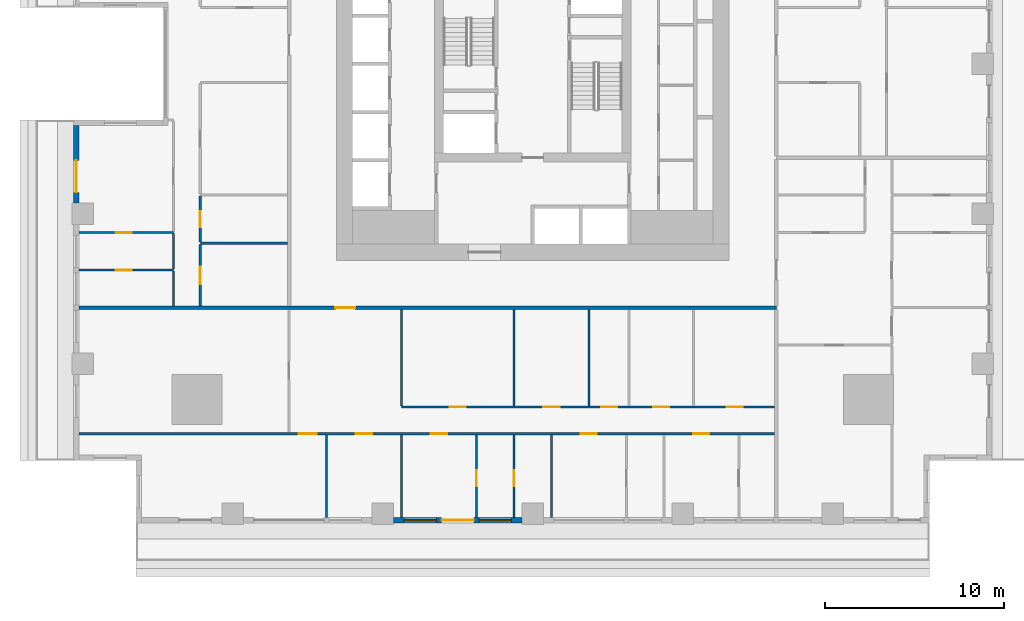
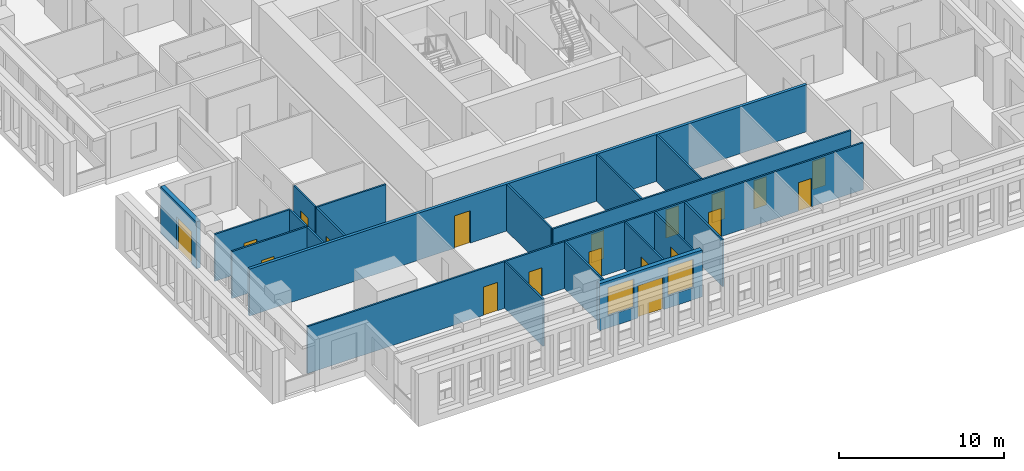
# One storey, part 2 of 15: 20 walls, 19 doors, 2 windows, 21 openings.
"""IFC4 building model written with IfcOpenShell, lengths in metres."""

from ifc_helpers import new_model, si_unit, direction, frame, frame_2d, origin, place, context, subcontext, project, spatial, rectangle, extrude, material, layer, layer_set, type_object, element, fill, save


model = new_model("IFC4")

# Units and contexts
model_context = context("Model", 3, precision=1e-05, world=origin(), true_north=direction((0.0, 1.0)))
body_context = subcontext(model_context, "Body", "Model", "MODEL_VIEW")
ifc_project = project(units=[si_unit("LENGTHUNIT", "METRE"), si_unit("AREAUNIT", "SQUARE_METRE"), si_unit("VOLUMEUNIT", "CUBIC_METRE"), si_unit("PLANEANGLEUNIT", "RADIAN"), si_unit("MASSUNIT", "GRAM", prefix="KILO")], contexts=[model_context])

# Site, building, storey
site_placement = place(None, origin())
site = spatial("IfcSite", under=ifc_project, at=site_placement, CompositionType="ELEMENT")
building_placement = place(site_placement, origin())
building = spatial("IfcBuilding", under=site, at=building_placement, Name="Khepri Terraces", CompositionType="ELEMENT")
storey_placement = place(building_placement, frame((0.0, 0.0, 83.10009765625)))
storey = spatial("IfcBuildingStorey", under=building, at=storey_placement, Name="L19", CompositionType="ELEMENT", Elevation=83.10009765625)

# Wall, opening, door
ifc_material_1 = material(Name="Fire-rated gypsum plasterboard partition, mineral wool")
ifc_layer_1 = layer(ifc_material_1, 0.199951171875, Name="Fire-rated gypsum plasterboard partition, mineral wool")
ifc_layer_set_1 = layer_set([ifc_layer_1], Name="Fire-rated gypsum plasterboard partition, mineral wool")
wall_type_1 = type_object("IfcWallType", Name="WL-CORR-200", PredefinedType="PARTITIONING", material=ifc_layer_set_1)
wall_1_placement = place(storey_placement, frame((-25.419921875, -13.64990234375, 0.0), z_axis=(0.0, 0.0, 1.0), x_axis=(1.0, 0.0, 0.0)))
wall_1 = element("IfcWall", 1, at=wall_1_placement, inside=storey, type_object=wall_type_1, Name="Partition P-022 L19", PredefinedType="PARTITIONING", context=body_context, shape_type="SweptSolid", body=[
    extrude(rectangle(XDim=39.06982421875, YDim=0.199951171875, at=frame_2d((19.534912109375, 0.0))), origin(), (0.0, 0.0, 1.0), 3.47998046875),
])
opening_1_placement = place(wall_1_placement, frame((14.3701171875, 0.0, 0.0)))
opening_1 = element("IfcOpeningElement", 2, at=opening_1_placement, cuts=wall_1, Name="Opening D1", PredefinedType="OPENING", context=body_context, shape_type="SweptSolid", body=[
    extrude(rectangle(XDim=1.10009765625, YDim=2.39990234375, at=frame_2d((0.550048828125, 1.199951171875))), frame((0.0, 0.10986328125, 0.0), z_axis=(0.0, -1.0, 0.0), x_axis=(1.0, 0.0, 0.0)), (0.0, 0.0, 1.0), 0.219970703125),
])
ifc_material_2 = material(Name="Solid-core timber door leaf, flat entrance door", Category="wood")
door_type_1 = type_object("IfcDoorType", Name="DR-ENT-1100", OperationType="NOTDEFINED", PredefinedType="DOOR", material=ifc_material_2)
door_1_placement = place(opening_1_placement, frame((1.10009765625, 0.0, 0.0), z_axis=(0.0, 0.0, 1.0), x_axis=(-1.0, 0.0, 0.0)))
door_1 = element("IfcDoor", 3, at=door_1_placement, inside=storey, type_object=door_type_1, Name="Flat A1 entrance door", OperationType="SINGLE_SWING_RIGHT", OverallHeight=2.39990234375, OverallWidth=1.10009765625, PredefinedType="DOOR", context=body_context, shape_type="SweptSolid", body=[
    extrude(rectangle(XDim=1.10009765625, YDim=2.39990234375, at=frame_2d((0.550048828125, 1.199951171875))), frame((0.0, 0.02490234375, 0.0), z_axis=(0.0, -1.0, 0.0), x_axis=(1.0, 0.0, 0.0)), (0.0, 0.0, 1.0), 0.050048828125),
])
fill(opening_1, door_1)

ifc_material_3 = material(Name="Precast concrete C50/60 warm stone", Category="masonry")
ifc_layer_2 = layer(ifc_material_3, 0.300048828125, Name="Precast concrete C50/60 warm stone", Category="masonry")
ifc_layer_set_2 = layer_set([ifc_layer_2], Name="Precast concrete C50/60 warm stone")
wall_type_2 = type_object("IfcWallType", Name="WL-EXT-PRECAST-300", PredefinedType="STANDARD", material=ifc_layer_set_2)
wall_2_placement = place(storey_placement, frame((-25.570068359375, -3.449951171875, 0.0), z_axis=(0.0, 0.0, 1.0), x_axis=(0.0, -1.0, 0.0)))
wall_2 = element("IfcWall", 4, at=wall_2_placement, inside=storey, type_object=wall_type_2, Name="External wall L19 W", PredefinedType="STANDARD", context=body_context, shape_type="SweptSolid", body=[
    extrude(rectangle(XDim=4.35009765625, YDim=0.300048828125, at=frame_2d((2.175048828125, 0.0))), origin(), (0.0, 0.0, 1.0), 3.47998046875),
])
opening_2_placement = place(wall_2_placement, frame((1.949951171875, 0.0, 0.0)))
opening_2 = element("IfcOpeningElement", 5, at=opening_2_placement, cuts=wall_2, Name="Opening ED-L19-17", PredefinedType="OPENING", context=body_context, shape_type="SweptSolid", body=[
    extrude(rectangle(XDim=1.800048828125, YDim=2.39990234375, at=frame_2d((0.89990234375, 1.199951171875))), frame((0.0, 0.16015625, 0.0), z_axis=(0.0, -1.0, 0.0), x_axis=(1.0, 0.0, 0.0)), (0.0, 0.0, 1.0), 0.320068359375),
])
ifc_material_4 = material(Name="Anodised aluminium bronze glazed door", Category="aluminium")
door_type_2 = type_object("IfcDoorType", Name="DR-BAL-SLIDE-1800x2400", OperationType="NOTDEFINED", PredefinedType="DOOR", material=ifc_material_4)
door_2_placement = place(opening_2_placement, origin())
door_2 = element("IfcDoor", 6, at=door_2_placement, inside=storey, type_object=door_type_2, Name="Balcony door L19 W", OperationType="SLIDING_TO_RIGHT", OverallHeight=2.39990234375, OverallWidth=1.800048828125, PredefinedType="DOOR", context=body_context, shape_type="SweptSolid", body=[
    extrude(rectangle(XDim=1.800048828125, YDim=2.39990234375, at=frame_2d((0.89990234375, 1.199951171875))), frame((0.0, 0.02490234375, 0.0), z_axis=(0.0, -1.0, 0.0), x_axis=(1.0, 0.0, 0.0)), (0.0, 0.0, 1.0), 0.050048828125),
])
fill(opening_2, door_2)

# Wall, openings, door, windows
wall_3_placement = place(storey_placement, frame((-7.800048828125, -25.570068359375, 0.0), z_axis=(0.0, 0.0, 1.0), x_axis=(1.0, 0.0, 0.0)))
wall_3 = element("IfcWall", 7, at=wall_3_placement, inside=storey, type_object=wall_type_2, Name="External wall L19 S", PredefinedType="STANDARD", context=body_context, shape_type="SweptSolid", body=[
    extrude(rectangle(XDim=7.199951171875, YDim=0.300048828125, at=frame_2d((3.60009765625, 0.0))), origin(), (0.0, 0.0, 1.0), 3.47998046875),
])
opening_3_placement = place(wall_3_placement, frame((0.60009765625, 0.0, 0.89990234375)))
opening_3 = element("IfcOpeningElement", 8, at=opening_3_placement, cuts=wall_3, Name="Opening W1", PredefinedType="OPENING", context=body_context, shape_type="SweptSolid", body=[
    extrude(rectangle(XDim=1.800048828125, YDim=2.10009765625, at=frame_2d((0.89990234375, 1.050048828125))), frame((0.0, 0.16015625, 0.0), z_axis=(0.0, -1.0, 0.0), x_axis=(1.0, 0.0, 0.0)), (0.0, 0.0, 1.0), 0.320068359375),
])
opening_4_placement = place(wall_3_placement, frame((2.699951171875, 0.0, 0.0)))
opening_4 = element("IfcOpeningElement", 9, at=opening_4_placement, cuts=wall_3, Name="Opening ED-L19-20", PredefinedType="OPENING", context=body_context, shape_type="SweptSolid", body=[
    extrude(rectangle(XDim=1.800048828125, YDim=2.39990234375, at=frame_2d((0.89990234375, 1.199951171875))), frame((0.0, 0.16015625, 0.0), z_axis=(0.0, -1.0, 0.0), x_axis=(1.0, 0.0, 0.0)), (0.0, 0.0, 1.0), 0.320068359375),
])
opening_5_placement = place(wall_3_placement, frame((4.800048828125, 0.0, 0.89990234375)))
opening_5 = element("IfcOpeningElement", 10, at=opening_5_placement, cuts=wall_3, Name="Opening W1", PredefinedType="OPENING", context=body_context, shape_type="SweptSolid", body=[
    extrude(rectangle(XDim=1.800048828125, YDim=2.10009765625, at=frame_2d((0.89990234375, 1.050048828125))), frame((0.0, 0.16015625, 0.0), z_axis=(0.0, -1.0, 0.0), x_axis=(1.0, 0.0, 0.0)), (0.0, 0.0, 1.0), 0.320068359375),
])
door_3_placement = place(opening_4_placement, origin())
door_3 = element("IfcDoor", 11, at=door_3_placement, inside=storey, type_object=door_type_2, Name="Balcony door L19 S", OperationType="SLIDING_TO_LEFT", OverallHeight=2.39990234375, OverallWidth=1.800048828125, PredefinedType="DOOR", context=body_context, shape_type="SweptSolid", body=[
    extrude(rectangle(XDim=1.800048828125, YDim=2.39990234375, at=frame_2d((0.89990234375, 1.199951171875))), frame((0.0, 0.02490234375, 0.0), z_axis=(0.0, -1.0, 0.0), x_axis=(1.0, 0.0, 0.0)), (0.0, 0.0, 1.0), 0.050048828125),
])
fill(opening_4, door_3)
ifc_material_5 = material(Name="Clear glass", Category="glass")
window_type = type_object("IfcWindowType", Name="WIN-RES-1800x2100", PartitioningType="SINGLE_PANEL", PredefinedType="WINDOW", material=ifc_material_5)
window_1_placement = place(opening_3_placement, origin())
window_1 = element("IfcWindow", 12, at=window_1_placement, inside=storey, type_object=window_type, Name="Window L19 S", OverallHeight=2.10009765625, OverallWidth=1.800048828125, PartitioningType="SINGLE_PANEL", PredefinedType="WINDOW", context=body_context, shape_type="SweptSolid", body=[
    extrude(rectangle(XDim=1.800048828125, YDim=2.10009765625, at=frame_2d((0.89990234375, 1.050048828125))), frame((0.0, 0.030029296875, 0.0), z_axis=(0.0, -1.0, 0.0), x_axis=(1.0, 0.0, 0.0)), (0.0, 0.0, 1.0), 0.06005859375),
])
fill(opening_3, window_1)
window_2_placement = place(opening_5_placement, origin())
window_2 = element("IfcWindow", 13, at=window_2_placement, inside=storey, type_object=window_type, Name="Window L19 S", OverallHeight=2.10009765625, OverallWidth=1.800048828125, PartitioningType="SINGLE_PANEL", PredefinedType="WINDOW", context=body_context, shape_type="SweptSolid", body=[
    extrude(rectangle(XDim=1.800048828125, YDim=2.10009765625, at=frame_2d((0.89990234375, 1.050048828125))), frame((0.0, 0.030029296875, 0.0), z_axis=(0.0, -1.0, 0.0), x_axis=(1.0, 0.0, 0.0)), (0.0, 0.0, 1.0), 0.06005859375),
])
fill(opening_5, window_2)

# Walls
ifc_material_6 = material(Name="Gypsum plasterboard partition")
ifc_layer_3 = layer(ifc_material_6, 0.1201171875, Name="Gypsum plasterboard partition")
ifc_layer_set_3 = layer_set([ifc_layer_3], Name="Gypsum plasterboard partition")
wall_type_3 = type_object("IfcWallType", Name="WL-PART-120", PredefinedType="PARTITIONING", material=ifc_layer_set_3)
for number, where, z_axis, x_axis, name in (
    (14, (-11.550048828125, -25.419921875, 0.0), (0.0, 0.0, 1.0), (0.0, 1.0, 0.0), "Partition P-001 L19"),
    (15, (-7.35009765625, -25.419921875, 0.0), (0.0, 0.0, 1.0), (0.0, 1.0, 0.0), "Partition P-002 L19"),
):
    element("IfcWall", number, at=place(storey_placement, frame(where, z_axis=z_axis, x_axis=x_axis)), inside=storey, type_object=wall_type_3, Name=name, PredefinedType="PARTITIONING", context=body_context, shape_type="SweptSolid", body=[
        extrude(rectangle(XDim=4.639892578125, YDim=0.1201171875, at=frame_2d((2.31982421875, 0.0))), origin(), (0.0, 0.0, 1.0), 3.47998046875),
    ])

# Wall, opening, door
wall_4_placement = place(storey_placement, frame((-3.14990234375, -25.419921875, 0.0), z_axis=(0.0, 0.0, 1.0), x_axis=(0.0, 1.0, 0.0)))
wall_4 = element("IfcWall", 16, at=wall_4_placement, inside=storey, type_object=wall_type_3, Name="Partition P-003 L19", PredefinedType="PARTITIONING", context=body_context, shape_type="SweptSolid", body=[
    extrude(rectangle(XDim=4.639892578125, YDim=0.1201171875, at=frame_2d((2.31982421875, 0.0))), origin(), (0.0, 0.0, 1.0), 3.47998046875),
])
opening_6_placement = place(wall_4_placement, frame((1.75, 0.0, 0.0)))
opening_6 = element("IfcOpeningElement", 17, at=opening_6_placement, cuts=wall_4, Name="Opening D3", PredefinedType="OPENING", context=body_context, shape_type="SweptSolid", body=[
    extrude(rectangle(XDim=0.89990234375, YDim=2.10009765625, at=frame_2d((0.449951171875, 1.050048828125))), frame((0.0, 0.070068359375, 0.0), z_axis=(0.0, -1.0, 0.0), x_axis=(1.0, 0.0, 0.0)), (0.0, 0.0, 1.0), 0.14013671875),
])
ifc_material_7 = material(Name="Timber door leaf", Category="wood")
door_type_3 = type_object("IfcDoorType", Name="DR-INT-900", OperationType="NOTDEFINED", PredefinedType="DOOR", material=ifc_material_7)
door_4_placement = place(opening_6_placement, frame((0.89990234375, 0.0, 0.0), z_axis=(0.0, 0.0, 1.0), x_axis=(-1.0, 0.0, 0.0)))
door_4 = element("IfcDoor", 18, at=door_4_placement, inside=storey, type_object=door_type_3, Name="Door Dressing Room", OperationType="SINGLE_SWING_RIGHT", OverallHeight=2.10009765625, OverallWidth=0.89990234375, PredefinedType="DOOR", context=body_context, shape_type="SweptSolid", body=[
    extrude(rectangle(XDim=0.89990234375, YDim=2.10009765625, at=frame_2d((0.449951171875, 1.050048828125))), frame((0.0, 0.02490234375, 0.0), z_axis=(0.0, -1.0, 0.0), x_axis=(1.0, 0.0, 0.0)), (0.0, 0.0, 1.0), 0.050048828125),
])
fill(opening_6, door_4)

wall_5_placement = place(storey_placement, frame((-1.050048828125, -25.419921875, 0.0), z_axis=(0.0, 0.0, 1.0), x_axis=(0.0, 1.0, 0.0)))
wall_5 = element("IfcWall", 19, at=wall_5_placement, inside=storey, type_object=wall_type_3, Name="Partition P-004 L19", PredefinedType="PARTITIONING", context=body_context, shape_type="SweptSolid", body=[
    extrude(rectangle(XDim=4.639892578125, YDim=0.1201171875, at=frame_2d((2.31982421875, 0.0))), origin(), (0.0, 0.0, 1.0), 3.47998046875),
])
opening_7_placement = place(wall_5_placement, frame((1.75, 0.0, 0.0)))
opening_7 = element("IfcOpeningElement", 20, at=opening_7_placement, cuts=wall_5, Name="Opening D4", PredefinedType="OPENING", context=body_context, shape_type="SweptSolid", body=[
    extrude(rectangle(XDim=0.89990234375, YDim=2.10009765625, at=frame_2d((0.449951171875, 1.050048828125))), frame((0.0, 0.070068359375, 0.0), z_axis=(0.0, -1.0, 0.0), x_axis=(1.0, 0.0, 0.0)), (0.0, 0.0, 1.0), 0.14013671875),
])
ifc_material_8 = material(Name="Timber door leaf, moisture resistant", Category="wood")
door_type_4 = type_object("IfcDoorType", Name="DR-WET-900", OperationType="NOTDEFINED", PredefinedType="DOOR", material=ifc_material_8)
door_5_placement = place(opening_7_placement, frame((0.89990234375, 0.0, 0.0), z_axis=(0.0, 0.0, 1.0), x_axis=(-1.0, 0.0, 0.0)))
door_5 = element("IfcDoor", 21, at=door_5_placement, inside=storey, type_object=door_type_4, Name="Door Bathroom", OperationType="SINGLE_SWING_RIGHT", OverallHeight=2.10009765625, OverallWidth=0.89990234375, PredefinedType="DOOR", context=body_context, shape_type="SweptSolid", body=[
    extrude(rectangle(XDim=0.89990234375, YDim=2.10009765625, at=frame_2d((0.449951171875, 1.050048828125))), frame((0.0, 0.02490234375, 0.0), z_axis=(0.0, -1.0, 0.0), x_axis=(1.0, 0.0, 0.0)), (0.0, 0.0, 1.0), 0.050048828125),
])
fill(opening_7, door_5)

# Wall
wall_6_placement = place(storey_placement, frame((1.050048828125, -25.419921875, 0.0), z_axis=(0.0, 0.0, 1.0), x_axis=(0.0, 1.0, 0.0)))
element("IfcWall", 22, at=wall_6_placement, inside=storey, type_object=wall_type_3, Name="Partition P-005 L19", PredefinedType="PARTITIONING", context=body_context, shape_type="SweptSolid", body=[
    extrude(rectangle(XDim=4.639892578125, YDim=0.1201171875, at=frame_2d((2.31982421875, 0.0))), origin(), (0.0, 0.0, 1.0), 3.47998046875),
])

# Wall, openings, doors
wall_7_placement = place(storey_placement, frame((-25.419921875, -20.719970703125, 0.0), z_axis=(0.0, 0.0, 1.0), x_axis=(1.0, 0.0, 0.0)))
wall_7 = element("IfcWall", 23, at=wall_7_placement, inside=storey, type_object=wall_type_3, Name="Partition P-011 L19", PredefinedType="PARTITIONING", context=body_context, shape_type="SweptSolid", body=[
    extrude(rectangle(XDim=38.969970703125, YDim=0.1201171875, at=frame_2d((19.48486328125, 0.0))), origin(), (0.0, 0.0, 1.0), 3.47998046875),
])
opening_8_placement = place(wall_7_placement, frame((12.320068359375, 0.0, 0.0)))
opening_8 = element("IfcOpeningElement", 24, at=opening_8_placement, cuts=wall_7, Name="Opening D2", PredefinedType="OPENING", context=body_context, shape_type="SweptSolid", body=[
    extrude(rectangle(XDim=1.0, YDim=2.10009765625, at=frame_2d((0.5, 1.050048828125))), frame((0.0, 0.070068359375, 0.0), z_axis=(0.0, -1.0, 0.0), x_axis=(1.0, 0.0, 0.0)), (0.0, 0.0, 1.0), 0.14013671875),
])
opening_9_placement = place(wall_7_placement, frame((15.52001953125, 0.0, 0.0)))
opening_9 = element("IfcOpeningElement", 25, at=opening_9_placement, cuts=wall_7, Name="Opening D3", PredefinedType="OPENING", context=body_context, shape_type="SweptSolid", body=[
    extrude(rectangle(XDim=0.89990234375, YDim=2.10009765625, at=frame_2d((0.449951171875, 1.050048828125))), frame((0.0, 0.070068359375, 0.0), z_axis=(0.0, -1.0, 0.0), x_axis=(1.0, 0.0, 0.0)), (0.0, 0.0, 1.0), 0.14013671875),
])
opening_10_placement = place(wall_7_placement, frame((19.719970703125, 0.0, 0.0)))
opening_10 = element("IfcOpeningElement", 26, at=opening_10_placement, cuts=wall_7, Name="Opening D3", PredefinedType="OPENING", context=body_context, shape_type="SweptSolid", body=[
    extrude(rectangle(XDim=0.89990234375, YDim=2.10009765625, at=frame_2d((0.449951171875, 1.050048828125))), frame((0.0, 0.070068359375, 0.0), z_axis=(0.0, -1.0, 0.0), x_axis=(1.0, 0.0, 0.0)), (0.0, 0.0, 1.0), 0.14013671875),
])
opening_11_placement = place(wall_7_placement, frame((28.1201171875, 0.0, 0.0)))
opening_11 = element("IfcOpeningElement", 27, at=opening_11_placement, cuts=wall_7, Name="Opening D3", PredefinedType="OPENING", context=body_context, shape_type="SweptSolid", body=[
    extrude(rectangle(XDim=0.89990234375, YDim=2.10009765625, at=frame_2d((0.449951171875, 1.050048828125))), frame((0.0, 0.070068359375, 0.0), z_axis=(0.0, -1.0, 0.0), x_axis=(1.0, 0.0, 0.0)), (0.0, 0.0, 1.0), 0.14013671875),
])
opening_12_placement = place(wall_7_placement, frame((34.419921875, 0.0, 0.0)))
opening_12 = element("IfcOpeningElement", 28, at=opening_12_placement, cuts=wall_7, Name="Opening D3", PredefinedType="OPENING", context=body_context, shape_type="SweptSolid", body=[
    extrude(rectangle(XDim=0.89990234375, YDim=2.10009765625, at=frame_2d((0.449951171875, 1.050048828125))), frame((0.0, 0.070068359375, 0.0), z_axis=(0.0, -1.0, 0.0), x_axis=(1.0, 0.0, 0.0)), (0.0, 0.0, 1.0), 0.14013671875),
])
ifc_material_9 = material(Name="Timber door leaf, living room door", Category="wood")
door_type_5 = type_object("IfcDoorType", Name="DR-INT-1000", OperationType="NOTDEFINED", PredefinedType="DOOR", material=ifc_material_9)
door_6_placement = place(opening_8_placement, frame((1.0, 0.0, 0.0), z_axis=(0.0, 0.0, 1.0), x_axis=(-1.0, 0.0, 0.0)))
door_6 = element("IfcDoor", 29, at=door_6_placement, inside=storey, type_object=door_type_5, Name="Door Living Room", OperationType="SINGLE_SWING_RIGHT", OverallHeight=2.10009765625, OverallWidth=1.0, PredefinedType="DOOR", context=body_context, shape_type="SweptSolid", body=[
    extrude(rectangle(XDim=1.0, YDim=2.10009765625, at=frame_2d((0.5, 1.050048828125))), frame((0.0, 0.02490234375, 0.0), z_axis=(0.0, -1.0, 0.0), x_axis=(1.0, 0.0, 0.0)), (0.0, 0.0, 1.0), 0.050048828125),
])
fill(opening_8, door_6)
door_7_placement = place(opening_9_placement, frame((0.89990234375, 0.0, 0.0), z_axis=(0.0, 0.0, 1.0), x_axis=(-1.0, 0.0, 0.0)))
door_7 = element("IfcDoor", 30, at=door_7_placement, inside=storey, type_object=door_type_3, Name="Door Study", OperationType="SINGLE_SWING_RIGHT", OverallHeight=2.10009765625, OverallWidth=0.89990234375, PredefinedType="DOOR", context=body_context, shape_type="SweptSolid", body=[
    extrude(rectangle(XDim=0.89990234375, YDim=2.10009765625, at=frame_2d((0.449951171875, 1.050048828125))), frame((0.0, 0.02490234375, 0.0), z_axis=(0.0, -1.0, 0.0), x_axis=(1.0, 0.0, 0.0)), (0.0, 0.0, 1.0), 0.050048828125),
])
fill(opening_9, door_7)
door_8_placement = place(opening_10_placement, frame((0.89990234375, 0.0, 0.0), z_axis=(0.0, 0.0, 1.0), x_axis=(-1.0, 0.0, 0.0)))
door_8 = element("IfcDoor", 31, at=door_8_placement, inside=storey, type_object=door_type_3, Name="Door Master Bedroom", OperationType="SINGLE_SWING_LEFT", OverallHeight=2.10009765625, OverallWidth=0.89990234375, PredefinedType="DOOR", context=body_context, shape_type="SweptSolid", body=[
    extrude(rectangle(XDim=0.89990234375, YDim=2.10009765625, at=frame_2d((0.449951171875, 1.050048828125))), frame((0.0, 0.02490234375, 0.0), z_axis=(0.0, -1.0, 0.0), x_axis=(1.0, 0.0, 0.0)), (0.0, 0.0, 1.0), 0.050048828125),
])
fill(opening_10, door_8)
door_9_placement = place(opening_11_placement, frame((0.89990234375, 0.0, 0.0), z_axis=(0.0, 0.0, 1.0), x_axis=(-1.0, 0.0, 0.0)))
door_9 = element("IfcDoor", 32, at=door_9_placement, inside=storey, type_object=door_type_3, Name="Door Bedroom", OperationType="SINGLE_SWING_LEFT", OverallHeight=2.10009765625, OverallWidth=0.89990234375, PredefinedType="DOOR", context=body_context, shape_type="SweptSolid", body=[
    extrude(rectangle(XDim=0.89990234375, YDim=2.10009765625, at=frame_2d((0.449951171875, 1.050048828125))), frame((0.0, 0.02490234375, 0.0), z_axis=(0.0, -1.0, 0.0), x_axis=(1.0, 0.0, 0.0)), (0.0, 0.0, 1.0), 0.050048828125),
])
fill(opening_11, door_9)
door_10_placement = place(opening_12_placement, frame((0.89990234375, 0.0, 0.0), z_axis=(0.0, 0.0, 1.0), x_axis=(-1.0, 0.0, 0.0)))
door_10 = element("IfcDoor", 33, at=door_10_placement, inside=storey, type_object=door_type_3, Name="Door Bedroom", OperationType="SINGLE_SWING_LEFT", OverallHeight=2.10009765625, OverallWidth=0.89990234375, PredefinedType="DOOR", context=body_context, shape_type="SweptSolid", body=[
    extrude(rectangle(XDim=0.89990234375, YDim=2.10009765625, at=frame_2d((0.449951171875, 1.050048828125))), frame((0.0, 0.02490234375, 0.0), z_axis=(0.0, -1.0, 0.0), x_axis=(1.0, 0.0, 0.0)), (0.0, 0.0, 1.0), 0.050048828125),
])
fill(opening_12, door_10)

wall_8_placement = place(storey_placement, frame((-7.35009765625, -19.219970703125, 0.0), z_axis=(0.0, 0.0, 1.0), x_axis=(1.0, 0.0, 0.0)))
wall_8 = element("IfcWall", 34, at=wall_8_placement, inside=storey, type_object=wall_type_3, Name="Partition P-013 L19", PredefinedType="PARTITIONING", context=body_context, shape_type="SweptSolid", body=[
    extrude(rectangle(XDim=20.900146484375, YDim=0.1201171875, at=frame_2d((10.4501953125, 0.0))), origin(), (0.0, 0.0, 1.0), 3.47998046875),
])
opening_13_placement = place(wall_8_placement, frame((2.699951171875, 0.0, 0.0)))
opening_13 = element("IfcOpeningElement", 35, at=opening_13_placement, cuts=wall_8, Name="Opening D3", PredefinedType="OPENING", context=body_context, shape_type="SweptSolid", body=[
    extrude(rectangle(XDim=0.89990234375, YDim=2.10009765625, at=frame_2d((0.449951171875, 1.050048828125))), frame((0.0, 0.070068359375, 0.0), z_axis=(0.0, -1.0, 0.0), x_axis=(1.0, 0.0, 0.0)), (0.0, 0.0, 1.0), 0.14013671875),
])
opening_14_placement = place(wall_8_placement, frame((7.949951171875, 0.0, 0.0)))
opening_14 = element("IfcOpeningElement", 36, at=opening_14_placement, cuts=wall_8, Name="Opening D3", PredefinedType="OPENING", context=body_context, shape_type="SweptSolid", body=[
    extrude(rectangle(XDim=0.89990234375, YDim=2.10009765625, at=frame_2d((0.449951171875, 1.050048828125))), frame((0.0, 0.070068359375, 0.0), z_axis=(0.0, -1.0, 0.0), x_axis=(1.0, 0.0, 0.0)), (0.0, 0.0, 1.0), 0.14013671875),
])
opening_15_placement = place(wall_8_placement, frame((11.175048828125, 0.0, 0.0)))
opening_15 = element("IfcOpeningElement", 37, at=opening_15_placement, cuts=wall_8, Name="Opening D4", PredefinedType="OPENING", context=body_context, shape_type="SweptSolid", body=[
    extrude(rectangle(XDim=0.89990234375, YDim=2.10009765625, at=frame_2d((0.449951171875, 1.050048828125))), frame((0.0, 0.070068359375, 0.0), z_axis=(0.0, -1.0, 0.0), x_axis=(1.0, 0.0, 0.0)), (0.0, 0.0, 1.0), 0.14013671875),
])
opening_16_placement = place(wall_8_placement, frame((14.10009765625, 0.0, 0.0)))
opening_16 = element("IfcOpeningElement", 38, at=opening_16_placement, cuts=wall_8, Name="Opening D3", PredefinedType="OPENING", context=body_context, shape_type="SweptSolid", body=[
    extrude(rectangle(XDim=0.89990234375, YDim=2.10009765625, at=frame_2d((0.449951171875, 1.050048828125))), frame((0.0, 0.070068359375, 0.0), z_axis=(0.0, -1.0, 0.0), x_axis=(1.0, 0.0, 0.0)), (0.0, 0.0, 1.0), 0.14013671875),
])
opening_17_placement = place(wall_8_placement, frame((18.22509765625, 0.0, 0.0)))
opening_17 = element("IfcOpeningElement", 39, at=opening_17_placement, cuts=wall_8, Name="Opening D4", PredefinedType="OPENING", context=body_context, shape_type="SweptSolid", body=[
    extrude(rectangle(XDim=0.89990234375, YDim=2.10009765625, at=frame_2d((0.449951171875, 1.050048828125))), frame((0.0, 0.070068359375, 0.0), z_axis=(0.0, -1.0, 0.0), x_axis=(1.0, 0.0, 0.0)), (0.0, 0.0, 1.0), 0.14013671875),
])
door_11_placement = place(opening_13_placement, origin())
door_11 = element("IfcDoor", 40, at=door_11_placement, inside=storey, type_object=door_type_3, Name="Door Kitchen", OperationType="SINGLE_SWING_LEFT", OverallHeight=2.10009765625, OverallWidth=0.89990234375, PredefinedType="DOOR", context=body_context, shape_type="SweptSolid", body=[
    extrude(rectangle(XDim=0.89990234375, YDim=2.10009765625, at=frame_2d((0.449951171875, 1.050048828125))), frame((0.0, 0.02490234375, 0.0), z_axis=(0.0, -1.0, 0.0), x_axis=(1.0, 0.0, 0.0)), (0.0, 0.0, 1.0), 0.050048828125),
])
fill(opening_13, door_11)
door_12_placement = place(opening_14_placement, origin())
door_12 = element("IfcDoor", 41, at=door_12_placement, inside=storey, type_object=door_type_3, Name="Door Service Store", OperationType="SINGLE_SWING_LEFT", OverallHeight=2.10009765625, OverallWidth=0.89990234375, PredefinedType="DOOR", context=body_context, shape_type="SweptSolid", body=[
    extrude(rectangle(XDim=0.89990234375, YDim=2.10009765625, at=frame_2d((0.449951171875, 1.050048828125))), frame((0.0, 0.02490234375, 0.0), z_axis=(0.0, -1.0, 0.0), x_axis=(1.0, 0.0, 0.0)), (0.0, 0.0, 1.0), 0.050048828125),
])
fill(opening_14, door_12)
door_13_placement = place(opening_16_placement, origin())
door_13 = element("IfcDoor", 42, at=door_13_placement, inside=storey, type_object=door_type_3, Name="Door Utility Room", OperationType="SINGLE_SWING_RIGHT", OverallHeight=2.10009765625, OverallWidth=0.89990234375, PredefinedType="DOOR", context=body_context, shape_type="SweptSolid", body=[
    extrude(rectangle(XDim=0.89990234375, YDim=2.10009765625, at=frame_2d((0.449951171875, 1.050048828125))), frame((0.0, 0.02490234375, 0.0), z_axis=(0.0, -1.0, 0.0), x_axis=(1.0, 0.0, 0.0)), (0.0, 0.0, 1.0), 0.050048828125),
])
fill(opening_16, door_13)
door_14_placement = place(opening_15_placement, origin())
door_14 = element("IfcDoor", 43, at=door_14_placement, inside=storey, type_object=door_type_4, Name="Door Powder Room", OperationType="SINGLE_SWING_RIGHT", OverallHeight=2.10009765625, OverallWidth=0.89990234375, PredefinedType="DOOR", context=body_context, shape_type="SweptSolid", body=[
    extrude(rectangle(XDim=0.89990234375, YDim=2.10009765625, at=frame_2d((0.449951171875, 1.050048828125))), frame((0.0, 0.02490234375, 0.0), z_axis=(0.0, -1.0, 0.0), x_axis=(1.0, 0.0, 0.0)), (0.0, 0.0, 1.0), 0.050048828125),
])
fill(opening_15, door_14)
door_15_placement = place(opening_17_placement, origin())
door_15 = element("IfcDoor", 44, at=door_15_placement, inside=storey, type_object=door_type_4, Name="Door Guest Bathroom", OperationType="SINGLE_SWING_RIGHT", OverallHeight=2.10009765625, OverallWidth=0.89990234375, PredefinedType="DOOR", context=body_context, shape_type="SweptSolid", body=[
    extrude(rectangle(XDim=0.89990234375, YDim=2.10009765625, at=frame_2d((0.449951171875, 1.050048828125))), frame((0.0, 0.02490234375, 0.0), z_axis=(0.0, -1.0, 0.0), x_axis=(1.0, 0.0, 0.0)), (0.0, 0.0, 1.0), 0.050048828125),
])
fill(opening_17, door_15)

# Walls
for number, where, z_axis, x_axis, name in (
    (45, (-7.35009765625, -19.159912109375, 0.0), (0.0, 0.0, 1.0), (0.0, 1.0, 0.0), "Partition P-014 L19"),
    (46, (-1.050048828125, -19.159912109375, 0.0), (0.0, 0.0, 1.0), (0.0, 1.0, 0.0), "Partition P-015 L19"),
    (47, (3.14990234375, -19.159912109375, 0.0), (0.0, 0.0, 1.0), (0.0, 1.0, 0.0), "Partition P-016 L19"),
):
    element("IfcWall", number, at=place(storey_placement, frame(where, z_axis=z_axis, x_axis=x_axis)), inside=storey, type_object=wall_type_3, Name=name, PredefinedType="PARTITIONING", context=body_context, shape_type="SweptSolid", body=[
        extrude(rectangle(XDim=5.409912109375, YDim=0.1201171875, at=frame_2d((2.705078125, 0.0))), origin(), (0.0, 0.0, 1.0), 3.47998046875),
    ])
wall_9_placement = place(storey_placement, frame((-20.1201171875, -13.550048828125, 0.0), z_axis=(0.0, 0.0, 1.0), x_axis=(0.0, 1.0, 0.0)))
element("IfcWall", 48, at=wall_9_placement, inside=storey, type_object=wall_type_3, Name="Partition P-025 L19", PredefinedType="PARTITIONING", context=body_context, shape_type="SweptSolid", body=[
    extrude(rectangle(XDim=1.93994140625, YDim=0.1201171875, at=frame_2d((0.969970703125, 0.0))), origin(), (0.0, 0.0, 1.0), 3.47998046875),
])

# Wall, opening, door
wall_10_placement = place(storey_placement, frame((-18.6201171875, -13.550048828125, 0.0), z_axis=(0.0, 0.0, 1.0), x_axis=(0.0, 1.0, 0.0)))
wall_10 = element("IfcWall", 49, at=wall_10_placement, inside=storey, type_object=wall_type_3, Name="Partition P-026 L19", PredefinedType="PARTITIONING", context=body_context, shape_type="SweptSolid", body=[
    extrude(rectangle(XDim=3.43994140625, YDim=0.1201171875, at=frame_2d((1.719970703125, 0.0))), origin(), (0.0, 0.0, 1.0), 3.47998046875),
])
opening_18_placement = place(wall_10_placement, frame((1.199951171875, 0.0, 0.0)))
opening_18 = element("IfcOpeningElement", 50, at=opening_18_placement, cuts=wall_10, Name="Opening D2", PredefinedType="OPENING", context=body_context, shape_type="SweptSolid", body=[
    extrude(rectangle(XDim=1.0, YDim=2.10009765625, at=frame_2d((0.5, 1.050048828125))), frame((0.0, 0.070068359375, 0.0), z_axis=(0.0, -1.0, 0.0), x_axis=(1.0, 0.0, 0.0)), (0.0, 0.0, 1.0), 0.14013671875),
])
door_16_placement = place(opening_18_placement, frame((1.0, 0.0, 0.0), z_axis=(0.0, 0.0, 1.0), x_axis=(-1.0, 0.0, 0.0)))
door_16 = element("IfcDoor", 51, at=door_16_placement, inside=storey, type_object=door_type_5, Name="Door Family Room", OperationType="SINGLE_SWING_RIGHT", OverallHeight=2.10009765625, OverallWidth=1.0, PredefinedType="DOOR", context=body_context, shape_type="SweptSolid", body=[
    extrude(rectangle(XDim=1.0, YDim=2.10009765625, at=frame_2d((0.5, 1.050048828125))), frame((0.0, 0.02490234375, 0.0), z_axis=(0.0, -1.0, 0.0), x_axis=(1.0, 0.0, 0.0)), (0.0, 0.0, 1.0), 0.050048828125),
])
fill(opening_18, door_16)

wall_11_placement = place(storey_placement, frame((-25.419921875, -11.550048828125, 0.0), z_axis=(0.0, 0.0, 1.0), x_axis=(1.0, 0.0, 0.0)))
wall_11 = element("IfcWall", 52, at=wall_11_placement, inside=storey, type_object=wall_type_3, Name="Partition P-029 L19", PredefinedType="PARTITIONING", context=body_context, shape_type="SweptSolid", body=[
    extrude(rectangle(XDim=5.2998046875, YDim=0.1201171875, at=frame_2d((2.64990234375, 0.0))), origin(), (0.0, 0.0, 1.0), 3.47998046875),
])
opening_19_placement = place(wall_11_placement, frame((2.050048828125, 0.0, 0.0)))
opening_19 = element("IfcOpeningElement", 53, at=opening_19_placement, cuts=wall_11, Name="Opening D4", PredefinedType="OPENING", context=body_context, shape_type="SweptSolid", body=[
    extrude(rectangle(XDim=0.89990234375, YDim=2.10009765625, at=frame_2d((0.449951171875, 1.050048828125))), frame((0.0, 0.070068359375, 0.0), z_axis=(0.0, -1.0, 0.0), x_axis=(1.0, 0.0, 0.0)), (0.0, 0.0, 1.0), 0.14013671875),
])
door_17_placement = place(opening_19_placement, frame((0.89990234375, 0.0, 0.0), z_axis=(0.0, 0.0, 1.0), x_axis=(-1.0, 0.0, 0.0)))
door_17 = element("IfcDoor", 54, at=door_17_placement, inside=storey, type_object=door_type_4, Name="Door Bathroom", OperationType="SINGLE_SWING_RIGHT", OverallHeight=2.10009765625, OverallWidth=0.89990234375, PredefinedType="DOOR", context=body_context, shape_type="SweptSolid", body=[
    extrude(rectangle(XDim=0.89990234375, YDim=2.10009765625, at=frame_2d((0.449951171875, 1.050048828125))), frame((0.0, 0.02490234375, 0.0), z_axis=(0.0, -1.0, 0.0), x_axis=(1.0, 0.0, 0.0)), (0.0, 0.0, 1.0), 0.050048828125),
])
fill(opening_19, door_17)

# Walls
wall_12_placement = place(storey_placement, frame((-20.1201171875, -11.489990234375, 0.0), z_axis=(0.0, 0.0, 1.0), x_axis=(0.0, 1.0, 0.0)))
element("IfcWall", 55, at=wall_12_placement, inside=storey, type_object=wall_type_3, Name="Partition P-030 L19", PredefinedType="PARTITIONING", context=body_context, shape_type="SweptSolid", body=[
    extrude(rectangle(XDim=1.97998046875, YDim=0.1201171875, at=frame_2d((0.989990234375, 0.0))), origin(), (0.0, 0.0, 1.0), 3.47998046875),
])
wall_13_placement = place(storey_placement, frame((-18.6201171875, -10.050048828125, 0.0), z_axis=(0.0, 0.0, 1.0), x_axis=(1.0, 0.0, 0.0)))
element("IfcWall", 56, at=wall_13_placement, inside=storey, type_object=wall_type_3, Name="Partition P-031 L19", PredefinedType="PARTITIONING", context=body_context, shape_type="SweptSolid", body=[
    extrude(rectangle(XDim=4.8701171875, YDim=0.1201171875, at=frame_2d((2.43505859375, 0.0))), origin(), (0.0, 0.0, 1.0), 3.47998046875),
])

# Wall, opening, door
wall_14_placement = place(storey_placement, frame((-18.6201171875, -9.989990234375, 0.0), z_axis=(0.0, 0.0, 1.0), x_axis=(0.0, 1.0, 0.0)))
wall_14 = element("IfcWall", 57, at=wall_14_placement, inside=storey, type_object=wall_type_3, Name="Partition P-032 L19", PredefinedType="PARTITIONING", context=body_context, shape_type="SweptSolid", body=[
    extrude(rectangle(XDim=2.580078125, YDim=0.1201171875, at=frame_2d((1.2900390625, 0.0))), origin(), (0.0, 0.0, 1.0), 3.47998046875),
])
opening_20_placement = place(wall_14_placement, frame((0.840087890625, 0.0, 0.0)))
opening_20 = element("IfcOpeningElement", 58, at=opening_20_placement, cuts=wall_14, Name="Opening D4", PredefinedType="OPENING", context=body_context, shape_type="SweptSolid", body=[
    extrude(rectangle(XDim=0.89990234375, YDim=2.10009765625, at=frame_2d((0.449951171875, 1.050048828125))), frame((0.0, 0.070068359375, 0.0), z_axis=(0.0, -1.0, 0.0), x_axis=(1.0, 0.0, 0.0)), (0.0, 0.0, 1.0), 0.14013671875),
])
door_18_placement = place(opening_20_placement, frame((0.89990234375, 0.0, 0.0), z_axis=(0.0, 0.0, 1.0), x_axis=(-1.0, 0.0, 0.0)))
door_18 = element("IfcDoor", 59, at=door_18_placement, inside=storey, type_object=door_type_4, Name="Door Powder Room", OperationType="SINGLE_SWING_LEFT", OverallHeight=2.10009765625, OverallWidth=0.89990234375, PredefinedType="DOOR", context=body_context, shape_type="SweptSolid", body=[
    extrude(rectangle(XDim=0.89990234375, YDim=2.10009765625, at=frame_2d((0.449951171875, 1.050048828125))), frame((0.0, 0.02490234375, 0.0), z_axis=(0.0, -1.0, 0.0), x_axis=(1.0, 0.0, 0.0)), (0.0, 0.0, 1.0), 0.050048828125),
])
fill(opening_20, door_18)

wall_15_placement = place(storey_placement, frame((-25.419921875, -9.449951171875, 0.0), z_axis=(0.0, 0.0, 1.0), x_axis=(1.0, 0.0, 0.0)))
wall_15 = element("IfcWall", 60, at=wall_15_placement, inside=storey, type_object=wall_type_3, Name="Partition P-033 L19", PredefinedType="PARTITIONING", context=body_context, shape_type="SweptSolid", body=[
    extrude(rectangle(XDim=5.2998046875, YDim=0.1201171875, at=frame_2d((2.64990234375, 0.0))), origin(), (0.0, 0.0, 1.0), 3.47998046875),
])
opening_21_placement = place(wall_15_placement, frame((2.050048828125, 0.0, 0.0)))
opening_21 = element("IfcOpeningElement", 61, at=opening_21_placement, cuts=wall_15, Name="Opening D3", PredefinedType="OPENING", context=body_context, shape_type="SweptSolid", body=[
    extrude(rectangle(XDim=0.89990234375, YDim=2.10009765625, at=frame_2d((0.449951171875, 1.050048828125))), frame((0.0, 0.070068359375, 0.0), z_axis=(0.0, -1.0, 0.0), x_axis=(1.0, 0.0, 0.0)), (0.0, 0.0, 1.0), 0.14013671875),
])
door_19_placement = place(opening_21_placement, frame((0.89990234375, 0.0, 0.0), z_axis=(0.0, 0.0, 1.0), x_axis=(-1.0, 0.0, 0.0)))
door_19 = element("IfcDoor", 62, at=door_19_placement, inside=storey, type_object=door_type_3, Name="Door Dressing Room", OperationType="SINGLE_SWING_RIGHT", OverallHeight=2.10009765625, OverallWidth=0.89990234375, PredefinedType="DOOR", context=body_context, shape_type="SweptSolid", body=[
    extrude(rectangle(XDim=0.89990234375, YDim=2.10009765625, at=frame_2d((0.449951171875, 1.050048828125))), frame((0.0, 0.02490234375, 0.0), z_axis=(0.0, -1.0, 0.0), x_axis=(1.0, 0.0, 0.0)), (0.0, 0.0, 1.0), 0.050048828125),
])
fill(opening_21, door_19)

save(model, "model.ifc")
